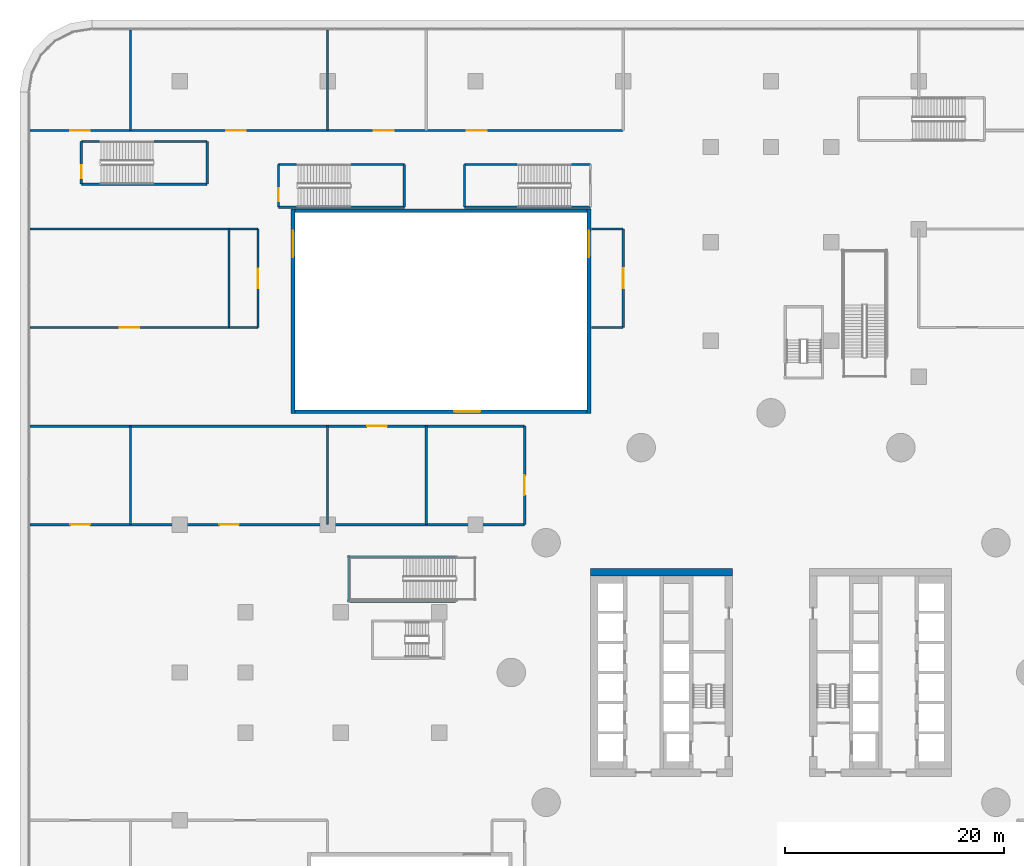
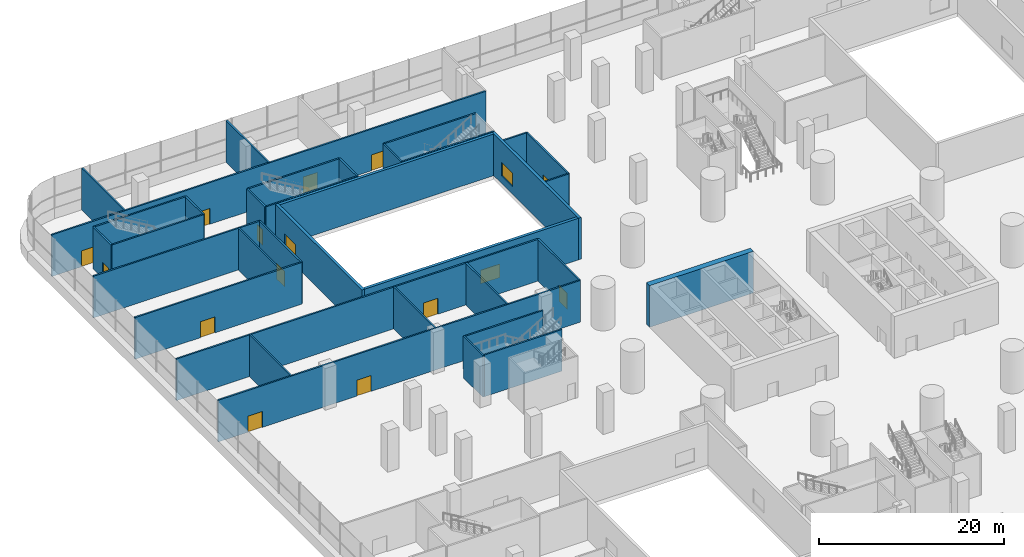
# One storey, part 32 of 52: 35 walls, 13 doors, 3 windows, 16 openings.
"""IFC4 building model written with IfcOpenShell, lengths in metres."""

from ifc_helpers import new_model, si_unit, direction, frame, frame_2d, origin, place, context, subcontext, project, spatial, rectangle, extrude, material, layer, layer_set, type_object, element, fill, save


model = new_model("IFC4")

# Units and contexts
model_context = context("Model", 3, precision=1e-05, world=origin(), true_north=direction((0.0, 1.0)))
body_context = subcontext(model_context, "Body", "Model", "MODEL_VIEW")
ifc_project = project(units=[si_unit("LENGTHUNIT", "METRE"), si_unit("AREAUNIT", "SQUARE_METRE"), si_unit("VOLUMEUNIT", "CUBIC_METRE"), si_unit("PLANEANGLEUNIT", "RADIAN"), si_unit("MASSUNIT", "GRAM", prefix="KILO")], contexts=[model_context])

# Site, building, storey
site_placement = place(None, origin())
site = spatial("IfcSite", under=ifc_project, at=site_placement, CompositionType="ELEMENT")
building_placement = place(site_placement, origin())
building = spatial("IfcBuilding", under=site, at=building_placement, Name="Tamarind Cross Interchange Tower", CompositionType="ELEMENT")
storey_placement = place(building_placement, frame((0.0, 0.0, 9.0)))
storey = spatial("IfcBuildingStorey", under=building, at=storey_placement, Name="L01", CompositionType="ELEMENT", Elevation=9.0)

# Wall
ifc_material_1 = material(Name="Concrete C80", Category="concrete")
ifc_layer_1 = layer(ifc_material_1, 0.699951171875)
ifc_layer_set_1 = layer_set([ifc_layer_1], Name="Concrete C80")
wall_type_1 = type_object("IfcWallType", Name="Core wall 700 mm Concrete C80", PredefinedType="SHEAR", material=ifc_layer_set_1)
wall_1_placement = place(storey_placement, frame((-16.5, 9.14990234375, 0.0), z_axis=(0.0, 0.0, 1.0), x_axis=(1.0, 0.0, 0.0)))
element("IfcWall", 1, at=wall_1_placement, inside=storey, type_object=wall_type_1, Name="Core wall CWL-L01-W-NE", PredefinedType="SHEAR", context=body_context, shape_type="SweptSolid", body=[
    extrude(rectangle(XDim=13.0, YDim=0.699951171875, at=frame_2d((6.5, 0.0))), origin(), (0.0, 0.0, 1.0), 5.5),
])

# Wall, openings, doors
ifc_material_2 = material(Name="Masonry partition, fire-rated", Category="masonry")
ifc_layer_2 = layer(ifc_material_2, 0.199951171875)
ifc_layer_set_2 = layer_set([ifc_layer_2], Name="Masonry partition, fire-rated")
wall_type_2 = type_object("IfcWallType", Name="Fire partition 200 EI 120", PredefinedType="PARTITIONING", material=ifc_layer_set_2)
wall_2_placement = place(storey_placement, frame((-67.698974609375, 13.5, 0.0), z_axis=(0.0, 0.0, 1.0), x_axis=(1.0, 0.0, 0.0)))
wall_2 = element("IfcWall", 2, at=wall_2_placement, inside=storey, type_object=wall_type_2, Name="L01 partition 56", PredefinedType="PARTITIONING", context=body_context, shape_type="SweptSolid", body=[
    extrude(rectangle(XDim=45.198974609375, YDim=0.199951171875, at=frame_2d((22.599609375, 0.0))), origin(), (0.0, 0.0, 1.0), 5.5),
])
opening_1_placement = place(wall_2_placement, frame((17.299072265625, 0.0, 0.0)))
opening_1 = element("IfcOpeningElement", 3, at=opening_1_placement, cuts=wall_2, Name="Opening DL01-25", PredefinedType="OPENING", context=body_context, shape_type="SweptSolid", body=[
    extrude(rectangle(XDim=1.800048828125, YDim=2.10009765625, at=frame_2d((0.89990234375, 1.050048828125))), frame((0.0, 0.10986328125, 0.0), z_axis=(0.0, -1.0, 0.0), x_axis=(1.0, 0.0, 0.0)), (0.0, 0.0, 1.0), 0.219970703125),
])
opening_2_placement = place(wall_2_placement, frame((3.698974609375, 0.0, 0.0)))
opening_2 = element("IfcOpeningElement", 4, at=opening_2_placement, cuts=wall_2, Name="Opening DL01-26", PredefinedType="OPENING", context=body_context, shape_type="SweptSolid", body=[
    extrude(rectangle(XDim=1.800048828125, YDim=2.10009765625, at=frame_2d((0.89990234375, 1.050048828125))), frame((0.0, 0.10986328125, 0.0), z_axis=(0.0, -1.0, 0.0), x_axis=(1.0, 0.0, 0.0)), (0.0, 0.0, 1.0), 0.219970703125),
])
ifc_material_3 = material(Name="Steel, fire-resisting", Category="steel")
door_type_1 = type_object("IfcDoorType", Name="Podium door 1800 x 2100 FD60", OperationType="SINGLE_SWING_LEFT", PredefinedType="DOOR", material=ifc_material_3)
door_1_placement = place(opening_1_placement, origin())
door_1 = element("IfcDoor", 5, at=door_1_placement, inside=storey, type_object=door_type_1, Name="L01 door Bookshop 0110", OperationType="SINGLE_SWING_LEFT", OverallHeight=2.10009765625, OverallWidth=1.800048828125, PredefinedType="DOOR", context=body_context, shape_type="SweptSolid", body=[
    extrude(rectangle(XDim=1.800048828125, YDim=2.10009765625, at=frame_2d((0.89990234375, 1.050048828125))), frame((0.0, 0.02490234375, 0.0), z_axis=(0.0, -1.0, 0.0), x_axis=(1.0, 0.0, 0.0)), (0.0, 0.0, 1.0), 0.050048828125),
])
fill(opening_1, door_1)
door_2_placement = place(opening_2_placement, origin())
door_2 = element("IfcDoor", 6, at=door_2_placement, inside=storey, type_object=door_type_1, Name="L01 door Coffee Bar 0111", OperationType="SINGLE_SWING_RIGHT", OverallHeight=2.10009765625, OverallWidth=1.800048828125, PredefinedType="DOOR", context=body_context, shape_type="SweptSolid", body=[
    extrude(rectangle(XDim=1.800048828125, YDim=2.10009765625, at=frame_2d((0.89990234375, 1.050048828125))), frame((0.0, 0.02490234375, 0.0), z_axis=(0.0, -1.0, 0.0), x_axis=(1.0, 0.0, 0.0)), (0.0, 0.0, 1.0), 0.050048828125),
])
fill(opening_2, door_2)

# Wall, opening, door
wall_3_placement = place(storey_placement, frame((-67.698974609375, 22.5, 0.0), z_axis=(0.0, 0.0, 1.0), x_axis=(1.0, 0.0, 0.0)))
wall_3 = element("IfcWall", 7, at=wall_3_placement, inside=storey, type_object=wall_type_2, Name="L01 partition 57", PredefinedType="PARTITIONING", context=body_context, shape_type="SweptSolid", body=[
    extrude(rectangle(XDim=45.198974609375, YDim=0.199951171875, at=frame_2d((22.599609375, 0.0))), origin(), (0.0, 0.0, 1.0), 5.5),
])
opening_3_placement = place(wall_3_placement, frame((30.80908203125, 0.0, 0.0)))
opening_3 = element("IfcOpeningElement", 8, at=opening_3_placement, cuts=wall_3, Name="Opening DL01-24", PredefinedType="OPENING", context=body_context, shape_type="SweptSolid", body=[
    extrude(rectangle(XDim=1.800048828125, YDim=2.10009765625, at=frame_2d((0.89990234375, 1.050048828125))), frame((0.0, 0.10986328125, 0.0), z_axis=(0.0, -1.0, 0.0), x_axis=(1.0, 0.0, 0.0)), (0.0, 0.0, 1.0), 0.219970703125),
])
door_3_placement = place(opening_3_placement, origin())
door_3 = element("IfcDoor", 9, at=door_3_placement, inside=storey, type_object=door_type_1, Name="L01 door Beauty Salon 0109", OperationType="SINGLE_SWING_RIGHT", OverallHeight=2.10009765625, OverallWidth=1.800048828125, PredefinedType="DOOR", context=body_context, shape_type="SweptSolid", body=[
    extrude(rectangle(XDim=1.800048828125, YDim=2.10009765625, at=frame_2d((0.89990234375, 1.050048828125))), frame((0.0, 0.02490234375, 0.0), z_axis=(0.0, -1.0, 0.0), x_axis=(1.0, 0.0, 0.0)), (0.0, 0.0, 1.0), 0.050048828125),
])
fill(opening_3, door_3)

wall_4_placement = place(storey_placement, frame((-67.698974609375, 31.5, 0.0), z_axis=(0.0, 0.0, 1.0), x_axis=(1.0, 0.0, 0.0)))
wall_4 = element("IfcWall", 10, at=wall_4_placement, inside=storey, type_object=wall_type_2, Name="L01 partition 58", PredefinedType="PARTITIONING", context=body_context, shape_type="SweptSolid", body=[
    extrude(rectangle(XDim=20.848876953125, YDim=0.199951171875, at=frame_2d((10.42431640625, 0.0))), origin(), (0.0, 0.0, 1.0), 5.5),
])
opening_4_placement = place(wall_4_placement, frame((8.198974609375, 0.0, 0.0)))
opening_4 = element("IfcOpeningElement", 11, at=opening_4_placement, cuts=wall_4, Name="Opening DL01-28", PredefinedType="OPENING", context=body_context, shape_type="SweptSolid", body=[
    extrude(rectangle(XDim=1.800048828125, YDim=2.10009765625, at=frame_2d((0.89990234375, 1.050048828125))), frame((0.0, 0.10986328125, 0.0), z_axis=(0.0, -1.0, 0.0), x_axis=(1.0, 0.0, 0.0)), (0.0, 0.0, 1.0), 0.219970703125),
])
door_4_placement = place(opening_4_placement, origin())
door_4 = element("IfcDoor", 12, at=door_4_placement, inside=storey, type_object=door_type_1, Name="L01 door Beauty Salon 0114", OperationType="SINGLE_SWING_RIGHT", OverallHeight=2.10009765625, OverallWidth=1.800048828125, PredefinedType="DOOR", context=body_context, shape_type="SweptSolid", body=[
    extrude(rectangle(XDim=1.800048828125, YDim=2.10009765625, at=frame_2d((0.89990234375, 1.050048828125))), frame((0.0, 0.02490234375, 0.0), z_axis=(0.0, -1.0, 0.0), x_axis=(1.0, 0.0, 0.0)), (0.0, 0.0, 1.0), 0.050048828125),
])
fill(opening_4, door_4)

# Wall
wall_5_placement = place(storey_placement, frame((-67.698974609375, 40.5, 0.0), z_axis=(0.0, 0.0, 1.0), x_axis=(1.0, 0.0, 0.0)))
element("IfcWall", 13, at=wall_5_placement, inside=storey, type_object=wall_type_2, Name="L01 partition 59", PredefinedType="PARTITIONING", context=body_context, shape_type="SweptSolid", body=[
    extrude(rectangle(XDim=20.848876953125, YDim=0.199951171875, at=frame_2d((10.42431640625, 0.0))), origin(), (0.0, 0.0, 1.0), 5.5),
])

# Wall, openings, doors
wall_6_placement = place(storey_placement, frame((-67.698974609375, 49.5, 0.0), z_axis=(0.0, 0.0, 1.0), x_axis=(1.0, 0.0, 0.0)))
wall_6 = element("IfcWall", 14, at=wall_6_placement, inside=storey, type_object=wall_type_2, Name="L01 partition 60", PredefinedType="PARTITIONING", context=body_context, shape_type="SweptSolid", body=[
    extrude(rectangle(XDim=54.198974609375, YDim=0.199951171875, at=frame_2d((27.099609375, 0.0))), origin(), (0.0, 0.0, 1.0), 5.5),
])
opening_5_placement = place(wall_6_placement, frame((39.924072265625, 0.0, 0.0)))
opening_5 = element("IfcOpeningElement", 15, at=opening_5_placement, cuts=wall_6, Name="Opening DL01-29", PredefinedType="OPENING", context=body_context, shape_type="SweptSolid", body=[
    extrude(rectangle(XDim=1.800048828125, YDim=2.10009765625, at=frame_2d((0.89990234375, 1.050048828125))), frame((0.0, 0.10986328125, 0.0), z_axis=(0.0, -1.0, 0.0), x_axis=(1.0, 0.0, 0.0)), (0.0, 0.0, 1.0), 0.219970703125),
])
opening_6_placement = place(wall_6_placement, frame((31.424072265625, 0.0, 0.0)))
opening_6 = element("IfcOpeningElement", 16, at=opening_6_placement, cuts=wall_6, Name="Opening DL01-30", PredefinedType="OPENING", context=body_context, shape_type="SweptSolid", body=[
    extrude(rectangle(XDim=1.800048828125, YDim=2.10009765625, at=frame_2d((0.89990234375, 1.050048828125))), frame((0.0, 0.10986328125, 0.0), z_axis=(0.0, -1.0, 0.0), x_axis=(1.0, 0.0, 0.0)), (0.0, 0.0, 1.0), 0.219970703125),
])
opening_7_placement = place(wall_6_placement, frame((17.924072265625, 0.0, 0.0)))
opening_7 = element("IfcOpeningElement", 17, at=opening_7_placement, cuts=wall_6, Name="Opening DL01-31", PredefinedType="OPENING", context=body_context, shape_type="SweptSolid", body=[
    extrude(rectangle(XDim=1.800048828125, YDim=2.10009765625, at=frame_2d((0.89990234375, 1.050048828125))), frame((0.0, 0.10986328125, 0.0), z_axis=(0.0, -1.0, 0.0), x_axis=(1.0, 0.0, 0.0)), (0.0, 0.0, 1.0), 0.219970703125),
])
opening_8_placement = place(wall_6_placement, frame((3.68896484375, 0.0, 0.0)))
opening_8 = element("IfcOpeningElement", 18, at=opening_8_placement, cuts=wall_6, Name="Opening DL01-32", PredefinedType="OPENING", context=body_context, shape_type="SweptSolid", body=[
    extrude(rectangle(XDim=1.800048828125, YDim=2.10009765625, at=frame_2d((0.89990234375, 1.050048828125))), frame((0.0, 0.10986328125, 0.0), z_axis=(0.0, -1.0, 0.0), x_axis=(1.0, 0.0, 0.0)), (0.0, 0.0, 1.0), 0.219970703125),
])
door_5_placement = place(opening_5_placement, origin())
door_5 = element("IfcDoor", 19, at=door_5_placement, inside=storey, type_object=door_type_1, Name="L01 door Gift Shop 0115", OperationType="SINGLE_SWING_LEFT", OverallHeight=2.10009765625, OverallWidth=1.800048828125, PredefinedType="DOOR", context=body_context, shape_type="SweptSolid", body=[
    extrude(rectangle(XDim=1.800048828125, YDim=2.10009765625, at=frame_2d((0.89990234375, 1.050048828125))), frame((0.0, 0.02490234375, 0.0), z_axis=(0.0, -1.0, 0.0), x_axis=(1.0, 0.0, 0.0)), (0.0, 0.0, 1.0), 0.050048828125),
])
fill(opening_5, door_5)
door_6_placement = place(opening_6_placement, origin())
door_6 = element("IfcDoor", 20, at=door_6_placement, inside=storey, type_object=door_type_1, Name="L01 door Bookshop 0116", OperationType="SINGLE_SWING_RIGHT", OverallHeight=2.10009765625, OverallWidth=1.800048828125, PredefinedType="DOOR", context=body_context, shape_type="SweptSolid", body=[
    extrude(rectangle(XDim=1.800048828125, YDim=2.10009765625, at=frame_2d((0.89990234375, 1.050048828125))), frame((0.0, 0.02490234375, 0.0), z_axis=(0.0, -1.0, 0.0), x_axis=(1.0, 0.0, 0.0)), (0.0, 0.0, 1.0), 0.050048828125),
])
fill(opening_6, door_6)
door_7_placement = place(opening_7_placement, origin())
door_7 = element("IfcDoor", 21, at=door_7_placement, inside=storey, type_object=door_type_1, Name="L01 door Jewellery Shop 0117", OperationType="SINGLE_SWING_LEFT", OverallHeight=2.10009765625, OverallWidth=1.800048828125, PredefinedType="DOOR", context=body_context, shape_type="SweptSolid", body=[
    extrude(rectangle(XDim=1.800048828125, YDim=2.10009765625, at=frame_2d((0.89990234375, 1.050048828125))), frame((0.0, 0.02490234375, 0.0), z_axis=(0.0, -1.0, 0.0), x_axis=(1.0, 0.0, 0.0)), (0.0, 0.0, 1.0), 0.050048828125),
])
fill(opening_7, door_7)
door_8_placement = place(opening_8_placement, origin())
door_8 = element("IfcDoor", 22, at=door_8_placement, inside=storey, type_object=door_type_1, Name="L01 door Electronics Store 0118", OperationType="SINGLE_SWING_RIGHT", OverallHeight=2.10009765625, OverallWidth=1.800048828125, PredefinedType="DOOR", context=body_context, shape_type="SweptSolid", body=[
    extrude(rectangle(XDim=1.800048828125, YDim=2.10009765625, at=frame_2d((0.89990234375, 1.050048828125))), frame((0.0, 0.02490234375, 0.0), z_axis=(0.0, -1.0, 0.0), x_axis=(1.0, 0.0, 0.0)), (0.0, 0.0, 1.0), 0.050048828125),
])
fill(opening_8, door_8)

# Walls
wall_7_placement = place(storey_placement, frame((-58.5, 13.5, 0.0), z_axis=(0.0, 0.0, 1.0), x_axis=(0.0, 1.0, 0.0)))
element("IfcWall", 23, at=wall_7_placement, inside=storey, type_object=wall_type_2, Name="L01 partition 64", PredefinedType="PARTITIONING", context=body_context, shape_type="SweptSolid", body=[
    extrude(rectangle(XDim=9.0, YDim=0.199951171875, at=frame_2d((4.5, 0.0))), origin(), (0.0, 0.0, 1.0), 5.5),
])
wall_8_placement = place(storey_placement, frame((-58.5, 49.5, 0.0), z_axis=(0.0, 0.0, 1.0), x_axis=(0.0, 1.0, 0.0)))
element("IfcWall", 24, at=wall_8_placement, inside=storey, type_object=wall_type_2, Name="L01 partition 65", PredefinedType="PARTITIONING", context=body_context, shape_type="SweptSolid", body=[
    extrude(rectangle(XDim=9.198974609375, YDim=0.199951171875, at=frame_2d((4.599609375, 0.0))), origin(), (0.0, 0.0, 1.0), 5.5),
])

# Wall, opening, door
wall_9_placement = place(storey_placement, frame((-46.85009765625, 31.5, 0.0), z_axis=(0.0, 0.0, 1.0), x_axis=(0.0, 1.0, 0.0)))
wall_9 = element("IfcWall", 25, at=wall_9_placement, inside=storey, type_object=wall_type_2, Name="L01 partition 66", PredefinedType="PARTITIONING", context=body_context, shape_type="SweptSolid", body=[
    extrude(rectangle(XDim=9.0, YDim=0.199951171875, at=frame_2d((4.5, 0.0))), origin(), (0.0, 0.0, 1.0), 5.5),
])
opening_9_placement = place(wall_9_placement, frame((3.60009765625, 0.0, 0.0)))
opening_9 = element("IfcOpeningElement", 26, at=opening_9_placement, cuts=wall_9, Name="Opening DL01-33", PredefinedType="OPENING", context=body_context, shape_type="SweptSolid", body=[
    extrude(rectangle(XDim=1.800048828125, YDim=2.10009765625, at=frame_2d((0.89990234375, 1.050048828125))), frame((0.0, 0.10986328125, 0.0), z_axis=(0.0, -1.0, 0.0), x_axis=(1.0, 0.0, 0.0)), (0.0, 0.0, 1.0), 0.219970703125),
])
door_9_placement = place(opening_9_placement, origin())
door_9 = element("IfcDoor", 27, at=door_9_placement, inside=storey, type_object=door_type_1, Name="L01 door Sports Shop 0113", OperationType="SINGLE_SWING_LEFT", OverallHeight=2.10009765625, OverallWidth=1.800048828125, PredefinedType="DOOR", context=body_context, shape_type="SweptSolid", body=[
    extrude(rectangle(XDim=1.800048828125, YDim=2.10009765625, at=frame_2d((0.89990234375, 1.050048828125))), frame((0.0, 0.02490234375, 0.0), z_axis=(0.0, -1.0, 0.0), x_axis=(1.0, 0.0, 0.0)), (0.0, 0.0, 1.0), 0.050048828125),
])
fill(opening_9, door_9)

# Walls
for number, where, z_axis, x_axis, name in (
    (28, (-49.5, 31.5, 0.0), (0.0, 0.0, 1.0), (0.0, 1.0, 0.0), "L01 partition 67"),
    (29, (-40.5, 13.5, 0.0), (0.0, 0.0, 1.0), (0.0, 1.0, 0.0), "L01 partition 70"),
):
    element("IfcWall", number, at=place(storey_placement, frame(where, z_axis=z_axis, x_axis=x_axis)), inside=storey, type_object=wall_type_2, Name=name, PredefinedType="PARTITIONING", context=body_context, shape_type="SweptSolid", body=[
        extrude(rectangle(XDim=9.0, YDim=0.199951171875, at=frame_2d((4.5, 0.0))), origin(), (0.0, 0.0, 1.0), 5.5),
    ])
wall_10_placement = place(storey_placement, frame((-40.5, 49.5, 0.0), z_axis=(0.0, 0.0, 1.0), x_axis=(0.0, 1.0, 0.0)))
element("IfcWall", 30, at=wall_10_placement, inside=storey, type_object=wall_type_2, Name="L01 partition 71", PredefinedType="PARTITIONING", context=body_context, shape_type="SweptSolid", body=[
    extrude(rectangle(XDim=9.198974609375, YDim=0.199951171875, at=frame_2d((4.599609375, 0.0))), origin(), (0.0, 0.0, 1.0), 5.5),
])

# Wall, opening, door
wall_11_placement = place(storey_placement, frame((-22.5, 13.5, 0.0), z_axis=(0.0, 0.0, 1.0), x_axis=(0.0, 1.0, 0.0)))
wall_11 = element("IfcWall", 31, at=wall_11_placement, inside=storey, type_object=wall_type_2, Name="L01 partition 74", PredefinedType="PARTITIONING", context=body_context, shape_type="SweptSolid", body=[
    extrude(rectangle(XDim=9.0, YDim=0.199951171875, at=frame_2d((4.5, 0.0))), origin(), (0.0, 0.0, 1.0), 5.5),
])
opening_10_placement = place(wall_11_placement, frame((2.7080078125, 0.0, 0.0)))
opening_10 = element("IfcOpeningElement", 32, at=opening_10_placement, cuts=wall_11, Name="Opening DL01-23", PredefinedType="OPENING", context=body_context, shape_type="SweptSolid", body=[
    extrude(rectangle(XDim=1.800048828125, YDim=2.10009765625, at=frame_2d((0.89990234375, 1.050048828125))), frame((0.0, 0.10986328125, 0.0), z_axis=(0.0, -1.0, 0.0), x_axis=(1.0, 0.0, 0.0)), (0.0, 0.0, 1.0), 0.219970703125),
])
door_10_placement = place(opening_10_placement, origin())
door_10 = element("IfcDoor", 33, at=door_10_placement, inside=storey, type_object=door_type_1, Name="L01 door Electronics Store 0108", OperationType="SINGLE_SWING_LEFT", OverallHeight=2.10009765625, OverallWidth=1.800048828125, PredefinedType="DOOR", context=body_context, shape_type="SweptSolid", body=[
    extrude(rectangle(XDim=1.800048828125, YDim=2.10009765625, at=frame_2d((0.89990234375, 1.050048828125))), frame((0.0, 0.02490234375, 0.0), z_axis=(0.0, -1.0, 0.0), x_axis=(1.0, 0.0, 0.0)), (0.0, 0.0, 1.0), 0.050048828125),
])
fill(opening_10, door_10)

# Walls
wall_12_placement = place(storey_placement, frame((-31.5, 13.5, 0.0), z_axis=(0.0, 0.0, 1.0), x_axis=(0.0, 1.0, 0.0)))
element("IfcWall", 34, at=wall_12_placement, inside=storey, type_object=wall_type_2, Name="L01 partition 75", PredefinedType="PARTITIONING", context=body_context, shape_type="SweptSolid", body=[
    extrude(rectangle(XDim=9.0, YDim=0.199951171875, at=frame_2d((4.5, 0.0))), origin(), (0.0, 0.0, 1.0), 5.5),
])
wall_13_placement = place(storey_placement, frame((-16.419921875, 40.5, 0.0), z_axis=(0.0, 0.0, 1.0), x_axis=(1.0, 0.0, 0.0)))
element("IfcWall", 35, at=wall_13_placement, inside=storey, type_object=wall_type_2, Name="L01 partition 85", PredefinedType="PARTITIONING", context=body_context, shape_type="SweptSolid", body=[
    extrude(rectangle(XDim=2.919921875, YDim=0.199951171875, at=frame_2d((1.4599609375, 0.0))), origin(), (0.0, 0.0, 1.0), 5.5),
])

# Wall, opening, door
wall_14_placement = place(storey_placement, frame((-13.5, 31.5, 0.0), z_axis=(0.0, 0.0, 1.0), x_axis=(0.0, 1.0, 0.0)))
wall_14 = element("IfcWall", 36, at=wall_14_placement, inside=storey, type_object=wall_type_2, Name="L01 partition 86", PredefinedType="PARTITIONING", context=body_context, shape_type="SweptSolid", body=[
    extrude(rectangle(XDim=9.0, YDim=0.199951171875, at=frame_2d((4.5, 0.0))), origin(), (0.0, 0.0, 1.0), 5.5),
])
opening_11_placement = place(wall_14_placement, frame((3.610107421875, 0.0, 0.0)))
opening_11 = element("IfcOpeningElement", 37, at=opening_11_placement, cuts=wall_14, Name="Opening DL01-27", PredefinedType="OPENING", context=body_context, shape_type="SweptSolid", body=[
    extrude(rectangle(XDim=1.800048828125, YDim=2.10009765625, at=frame_2d((0.89990234375, 1.050048828125))), frame((0.0, 0.10986328125, 0.0), z_axis=(0.0, -1.0, 0.0), x_axis=(1.0, 0.0, 0.0)), (0.0, 0.0, 1.0), 0.219970703125),
])
door_11_placement = place(opening_11_placement, origin())
door_11 = element("IfcDoor", 38, at=door_11_placement, inside=storey, type_object=door_type_1, Name="L01 door Optician 0112", OperationType="SINGLE_SWING_LEFT", OverallHeight=2.10009765625, OverallWidth=1.800048828125, PredefinedType="DOOR", context=body_context, shape_type="SweptSolid", body=[
    extrude(rectangle(XDim=1.800048828125, YDim=2.10009765625, at=frame_2d((0.89990234375, 1.050048828125))), frame((0.0, 0.02490234375, 0.0), z_axis=(0.0, -1.0, 0.0), x_axis=(1.0, 0.0, 0.0)), (0.0, 0.0, 1.0), 0.050048828125),
])
fill(opening_11, door_11)

# Wall
wall_15_placement = place(storey_placement, frame((-16.419921875, 31.5, 0.0), z_axis=(0.0, 0.0, 1.0), x_axis=(1.0, 0.0, 0.0)))
element("IfcWall", 39, at=wall_15_placement, inside=storey, type_object=wall_type_2, Name="L01 partition 87", PredefinedType="PARTITIONING", context=body_context, shape_type="SweptSolid", body=[
    extrude(rectangle(XDim=2.919921875, YDim=0.199951171875, at=frame_2d((1.4599609375, 0.0))), origin(), (0.0, 0.0, 1.0), 5.5),
])

# Wall, opening, window
ifc_material_4 = material(Name="Precast concrete C40", Category="concrete")
ifc_layer_3 = layer(ifc_material_4, 0.35009765625)
ifc_layer_set_3 = layer_set([ifc_layer_3], Name="Precast concrete C40")
wall_type_3 = type_object("IfcWallType", Name="Podium facade wall", PredefinedType="SOLIDWALL", material=ifc_layer_set_3)
wall_16_placement = place(storey_placement, frame((-43.5, 23.824951171875, 0.0), z_axis=(0.0, 0.0, 1.0), x_axis=(1.0, 0.0, 0.0)))
wall_16 = element("IfcWall", 40, at=wall_16_placement, inside=storey, type_object=wall_type_3, Name="CTW-L01-NWS00", PredefinedType="SOLIDWALL", context=body_context, shape_type="SweptSolid", body=[
    extrude(rectangle(XDim=26.699951171875, YDim=0.35009765625, at=frame_2d((13.35009765625, 0.0))), origin(), (0.0, 0.0, 1.0), 5.5),
])
opening_12_placement = place(wall_16_placement, frame((14.550048828125, 0.0, 1.0)))
opening_12 = element("IfcOpeningElement", 41, at=opening_12_placement, cuts=wall_16, Name="Opening W4", PredefinedType="OPENING", context=body_context, shape_type="SweptSolid", body=[
    extrude(rectangle(XDim=2.39990234375, YDim=1.800048828125, at=frame_2d((1.199951171875, 0.89990234375))), frame((0.0, 0.18505859375, 0.0), z_axis=(0.0, -1.0, 0.0), x_axis=(1.0, 0.0, 0.0)), (0.0, 0.0, 1.0), 0.3701171875),
])
ifc_material_5 = material(Name="Aluminium and toughened glass", Category="aluminium")
window_type = type_object("IfcWindowType", Name="Podium daylight window", PartitioningType="SINGLE_PANEL", PredefinedType="WINDOW", material=ifc_material_5)
window_1_placement = place(opening_12_placement, origin())
window_1 = element("IfcWindow", 42, at=window_1_placement, inside=storey, type_object=window_type, Name="CTX-L01-NWS-01-00", OverallHeight=1.800048828125, OverallWidth=2.39990234375, PartitioningType="SINGLE_PANEL", PredefinedType="WINDOW", context=body_context, shape_type="SweptSolid", body=[
    extrude(rectangle(XDim=2.39990234375, YDim=1.800048828125, at=frame_2d((1.199951171875, 0.89990234375))), frame((0.0, 0.030029296875, 0.0), z_axis=(0.0, -1.0, 0.0), x_axis=(1.0, 0.0, 0.0)), (0.0, 0.0, 1.0), 0.06005859375),
])
fill(opening_12, window_1)

# Wall
wall_17_placement = place(storey_placement, frame((-43.5, 42.175048828125, 0.0), z_axis=(0.0, 0.0, 1.0), x_axis=(1.0, 0.0, 0.0)))
element("IfcWall", 43, at=wall_17_placement, inside=storey, type_object=wall_type_3, Name="CTW-L01-NWN00", PredefinedType="SOLIDWALL", context=body_context, shape_type="SweptSolid", body=[
    extrude(rectangle(XDim=26.699951171875, YDim=0.35009765625, at=frame_2d((13.35009765625, 0.0))), origin(), (0.0, 0.0, 1.0), 5.5),
])

# Wall, opening, window
wall_18_placement = place(storey_placement, frame((-43.675048828125, 23.64990234375, 0.0), z_axis=(0.0, 0.0, 1.0), x_axis=(0.0, 1.0, 0.0)))
wall_18 = element("IfcWall", 44, at=wall_18_placement, inside=storey, type_object=wall_type_3, Name="CTW-L01-NWW00", PredefinedType="SOLIDWALL", context=body_context, shape_type="SweptSolid", body=[
    extrude(rectangle(XDim=18.7001953125, YDim=0.35009765625, at=frame_2d((9.35009765625, 0.0))), origin(), (0.0, 0.0, 1.0), 5.5),
])
opening_13_placement = place(wall_18_placement, frame((14.300048828125, 0.0, 1.0)))
opening_13 = element("IfcOpeningElement", 45, at=opening_13_placement, cuts=wall_18, Name="Opening W4", PredefinedType="OPENING", context=body_context, shape_type="SweptSolid", body=[
    extrude(rectangle(XDim=2.39990234375, YDim=1.800048828125, at=frame_2d((1.199951171875, 0.89990234375))), frame((0.0, 0.18505859375, 0.0), z_axis=(0.0, -1.0, 0.0), x_axis=(1.0, 0.0, 0.0)), (0.0, 0.0, 1.0), 0.3701171875),
])
window_2_placement = place(opening_13_placement, origin())
window_2 = element("IfcWindow", 46, at=window_2_placement, inside=storey, type_object=window_type, Name="CTX-L01-NWW-01-00", OverallHeight=1.800048828125, OverallWidth=2.39990234375, PartitioningType="SINGLE_PANEL", PredefinedType="WINDOW", context=body_context, shape_type="SweptSolid", body=[
    extrude(rectangle(XDim=2.39990234375, YDim=1.800048828125, at=frame_2d((1.199951171875, 0.89990234375))), frame((0.0, 0.030029296875, 0.0), z_axis=(0.0, -1.0, 0.0), x_axis=(1.0, 0.0, 0.0)), (0.0, 0.0, 1.0), 0.06005859375),
])
fill(opening_13, window_2)

wall_19_placement = place(storey_placement, frame((-16.625, 23.64990234375, 0.0), z_axis=(0.0, 0.0, 1.0), x_axis=(0.0, 1.0, 0.0)))
wall_19 = element("IfcWall", 47, at=wall_19_placement, inside=storey, type_object=wall_type_3, Name="CTW-L01-NWE00", PredefinedType="SOLIDWALL", context=body_context, shape_type="SweptSolid", body=[
    extrude(rectangle(XDim=18.7001953125, YDim=0.35009765625, at=frame_2d((9.35009765625, 0.0))), origin(), (0.0, 0.0, 1.0), 5.5),
])
opening_14_placement = place(wall_19_placement, frame((14.300048828125, 0.0, 1.0)))
opening_14 = element("IfcOpeningElement", 48, at=opening_14_placement, cuts=wall_19, Name="Opening W4", PredefinedType="OPENING", context=body_context, shape_type="SweptSolid", body=[
    extrude(rectangle(XDim=2.39990234375, YDim=1.800048828125, at=frame_2d((1.199951171875, 0.89990234375))), frame((0.0, 0.18505859375, 0.0), z_axis=(0.0, -1.0, 0.0), x_axis=(1.0, 0.0, 0.0)), (0.0, 0.0, 1.0), 0.3701171875),
])
window_3_placement = place(opening_14_placement, origin())
window_3 = element("IfcWindow", 49, at=window_3_placement, inside=storey, type_object=window_type, Name="CTX-L01-NWE-01-00", OverallHeight=1.800048828125, OverallWidth=2.39990234375, PartitioningType="SINGLE_PANEL", PredefinedType="WINDOW", context=body_context, shape_type="SweptSolid", body=[
    extrude(rectangle(XDim=2.39990234375, YDim=1.800048828125, at=frame_2d((1.199951171875, 0.89990234375))), frame((0.0, 0.030029296875, 0.0), z_axis=(0.0, -1.0, 0.0), x_axis=(1.0, 0.0, 0.0)), (0.0, 0.0, 1.0), 0.06005859375),
])
fill(opening_14, window_3)

# Walls
ifc_material_6 = material(Name="Concrete C40", Category="concrete")
ifc_layer_4 = layer(ifc_material_6, 0.199951171875)
ifc_layer_set_4 = layer_set([ifc_layer_4], Name="Concrete C40")
wall_type_4 = type_object("IfcWallType", Name="Stair shaft wall 200", PredefinedType="SOLIDWALL", material=ifc_layer_set_4)
for number, where, z_axis, x_axis, name in (
    (50, (-28.800048828125, 10.60009765625, 0.0), (0.0, 0.0, 1.0), (-1.0, 0.0, 0.0), "public stair PS-W shaft wall L"),
    (51, (-28.800048828125, 6.5, 0.0), (0.0, 0.0, 1.0), (-1.0, 0.0, 0.0), "public stair PS-W shaft wall R"),
):
    element("IfcWall", number, at=place(storey_placement, frame(where, z_axis=z_axis, x_axis=x_axis)), inside=storey, type_object=wall_type_4, Name=name, PredefinedType="SOLIDWALL", context=body_context, shape_type="SweptSolid", body=[
        extrude(rectangle(XDim=9.699951171875, YDim=0.199951171875, at=frame_2d((4.85009765625, 0.0))), origin(), (0.0, 0.0, 1.0), 5.5),
    ])
wall_20_placement = place(storey_placement, frame((-38.60009765625, 10.699951171875, 0.0), z_axis=(0.0, 0.0, 1.0), x_axis=(0.0, -1.0, 0.0)))
element("IfcWall", 52, at=wall_20_placement, inside=storey, type_object=wall_type_4, Name="public stair PS-W shaft wall F", PredefinedType="SOLIDWALL", context=body_context, shape_type="SweptSolid", body=[
    extrude(rectangle(XDim=4.300048828125, YDim=0.199951171875, at=frame_2d((2.14990234375, 0.0))), origin(), (0.0, 0.0, 1.0), 5.5),
])
ifc_layer_5 = layer(ifc_material_6, 0.199951171875)
ifc_layer_set_5 = layer_set([ifc_layer_5], Name="Concrete C40")
wall_type_5 = type_object("IfcWallType", Name="Stair shaft wall 200 EI 180", PredefinedType="PARTITIONING", material=ifc_layer_set_5)
wall_21_placement = place(storey_placement, frame((-63.0, 48.5, 0.0), z_axis=(0.0, 0.0, 1.0), x_axis=(1.0, 0.0, 0.0)))
element("IfcWall", 53, at=wall_21_placement, inside=storey, type_object=wall_type_5, Name="L01 stair shaft wall 1", PredefinedType="PARTITIONING", context=body_context, shape_type="SweptSolid", body=[
    extrude(rectangle(XDim=11.5, YDim=0.199951171875, at=frame_2d((5.75, 0.0))), origin(), (0.0, 0.0, 1.0), 5.5),
])
wall_22_placement = place(storey_placement, frame((-51.5, 44.60009765625, 0.0), z_axis=(0.0, 0.0, 1.0), x_axis=(0.0, 1.0, 0.0)))
element("IfcWall", 54, at=wall_22_placement, inside=storey, type_object=wall_type_5, Name="L01 stair shaft wall 2", PredefinedType="PARTITIONING", context=body_context, shape_type="SweptSolid", body=[
    extrude(rectangle(XDim=3.89990234375, YDim=0.199951171875, at=frame_2d((1.949951171875, 0.0))), origin(), (0.0, 0.0, 1.0), 5.5),
])
wall_23_placement = place(storey_placement, frame((-63.0, 44.60009765625, 0.0), z_axis=(0.0, 0.0, 1.0), x_axis=(1.0, 0.0, 0.0)))
element("IfcWall", 55, at=wall_23_placement, inside=storey, type_object=wall_type_5, Name="L01 stair shaft wall 3", PredefinedType="PARTITIONING", context=body_context, shape_type="SweptSolid", body=[
    extrude(rectangle(XDim=11.5, YDim=0.199951171875, at=frame_2d((5.75, 0.0))), origin(), (0.0, 0.0, 1.0), 5.5),
])

# Wall, opening, door
wall_24_placement = place(storey_placement, frame((-63.0, 44.60009765625, 0.0), z_axis=(0.0, 0.0, 1.0), x_axis=(0.0, 1.0, 0.0)))
wall_24 = element("IfcWall", 56, at=wall_24_placement, inside=storey, type_object=wall_type_5, Name="L01 stair shaft wall 4", PredefinedType="PARTITIONING", context=body_context, shape_type="SweptSolid", body=[
    extrude(rectangle(XDim=3.89990234375, YDim=0.199951171875, at=frame_2d((1.949951171875, 0.0))), origin(), (0.0, 0.0, 1.0), 5.5),
])
opening_15_placement = place(wall_24_placement, frame((0.550048828125, 0.0, 0.0)))
opening_15 = element("IfcOpeningElement", 57, at=opening_15_placement, cuts=wall_24, Name="Opening DL01-05", PredefinedType="OPENING", context=body_context, shape_type="SweptSolid", body=[
    extrude(rectangle(XDim=1.199951171875, YDim=2.10009765625, at=frame_2d((0.60009765625, 1.050048828125))), frame((0.0, 0.10986328125, 0.0), z_axis=(0.0, -1.0, 0.0), x_axis=(1.0, 0.0, 0.0)), (0.0, 0.0, 1.0), 0.219970703125),
])
door_type_2 = type_object("IfcDoorType", Name="Podium door 1200 x 2100 FD90", OperationType="SINGLE_SWING_LEFT", PredefinedType="DOOR", material=ifc_material_3)
door_12_placement = place(opening_15_placement, origin())
door_12 = element("IfcDoor", 58, at=door_12_placement, inside=storey, type_object=door_type_2, Name="L01 door Exit Stair PX5", OperationType="SINGLE_SWING_LEFT", OverallHeight=2.10009765625, OverallWidth=1.199951171875, PredefinedType="DOOR", context=body_context, shape_type="SweptSolid", body=[
    extrude(rectangle(XDim=1.199951171875, YDim=2.10009765625, at=frame_2d((0.60009765625, 1.050048828125))), frame((0.0, 0.02490234375, 0.0), z_axis=(0.0, -1.0, 0.0), x_axis=(1.0, 0.0, 0.0)), (0.0, 0.0, 1.0), 0.050048828125),
])
fill(opening_15, door_12)

# Walls
wall_25_placement = place(storey_placement, frame((-45.0, 46.39990234375, 0.0), z_axis=(0.0, 0.0, 1.0), x_axis=(1.0, 0.0, 0.0)))
element("IfcWall", 59, at=wall_25_placement, inside=storey, type_object=wall_type_5, Name="L01 stair shaft wall 13", PredefinedType="PARTITIONING", context=body_context, shape_type="SweptSolid", body=[
    extrude(rectangle(XDim=11.5, YDim=0.199951171875, at=frame_2d((5.75, 0.0))), origin(), (0.0, 0.0, 1.0), 5.5),
])
wall_26_placement = place(storey_placement, frame((-33.5, 42.5, 0.0), z_axis=(0.0, 0.0, 1.0), x_axis=(0.0, 1.0, 0.0)))
element("IfcWall", 60, at=wall_26_placement, inside=storey, type_object=wall_type_5, Name="L01 stair shaft wall 14", PredefinedType="PARTITIONING", context=body_context, shape_type="SweptSolid", body=[
    extrude(rectangle(XDim=3.89990234375, YDim=0.199951171875, at=frame_2d((1.949951171875, 0.0))), origin(), (0.0, 0.0, 1.0), 5.5),
])
wall_27_placement = place(storey_placement, frame((-45.0, 42.5, 0.0), z_axis=(0.0, 0.0, 1.0), x_axis=(1.0, 0.0, 0.0)))
element("IfcWall", 61, at=wall_27_placement, inside=storey, type_object=wall_type_5, Name="L01 stair shaft wall 15", PredefinedType="PARTITIONING", context=body_context, shape_type="SweptSolid", body=[
    extrude(rectangle(XDim=11.5, YDim=0.199951171875, at=frame_2d((5.75, 0.0))), origin(), (0.0, 0.0, 1.0), 5.5),
])

# Wall, opening, door
wall_28_placement = place(storey_placement, frame((-45.0, 42.5, 0.0), z_axis=(0.0, 0.0, 1.0), x_axis=(0.0, 1.0, 0.0)))
wall_28 = element("IfcWall", 62, at=wall_28_placement, inside=storey, type_object=wall_type_5, Name="L01 stair shaft wall 16", PredefinedType="PARTITIONING", context=body_context, shape_type="SweptSolid", body=[
    extrude(rectangle(XDim=3.89990234375, YDim=0.199951171875, at=frame_2d((1.949951171875, 0.0))), origin(), (0.0, 0.0, 1.0), 5.5),
])
opening_16_placement = place(wall_28_placement, frame((0.550048828125, 0.0, 0.0)))
opening_16 = element("IfcOpeningElement", 63, at=opening_16_placement, cuts=wall_28, Name="Opening DL01-04", PredefinedType="OPENING", context=body_context, shape_type="SweptSolid", body=[
    extrude(rectangle(XDim=1.199951171875, YDim=2.10009765625, at=frame_2d((0.60009765625, 1.050048828125))), frame((0.0, 0.10986328125, 0.0), z_axis=(0.0, -1.0, 0.0), x_axis=(1.0, 0.0, 0.0)), (0.0, 0.0, 1.0), 0.219970703125),
])
door_13_placement = place(opening_16_placement, origin())
door_13 = element("IfcDoor", 64, at=door_13_placement, inside=storey, type_object=door_type_2, Name="L01 door Exit Stair PX4", OperationType="SINGLE_SWING_RIGHT", OverallHeight=2.10009765625, OverallWidth=1.199951171875, PredefinedType="DOOR", context=body_context, shape_type="SweptSolid", body=[
    extrude(rectangle(XDim=1.199951171875, YDim=2.10009765625, at=frame_2d((0.60009765625, 1.050048828125))), frame((0.0, 0.02490234375, 0.0), z_axis=(0.0, -1.0, 0.0), x_axis=(1.0, 0.0, 0.0)), (0.0, 0.0, 1.0), 0.050048828125),
])
fill(opening_16, door_13)

# Walls
wall_29_placement = place(storey_placement, frame((-28.0, 42.5, 0.0), z_axis=(0.0, 0.0, 1.0), x_axis=(1.0, 0.0, 0.0)))
element("IfcWall", 65, at=wall_29_placement, inside=storey, type_object=wall_type_5, Name="L01 stair shaft wall 21", PredefinedType="PARTITIONING", context=body_context, shape_type="SweptSolid", body=[
    extrude(rectangle(XDim=11.5, YDim=0.199951171875, at=frame_2d((5.75, 0.0))), origin(), (0.0, 0.0, 1.0), 5.5),
])
wall_30_placement = place(storey_placement, frame((-28.0, 42.5, 0.0), z_axis=(0.0, 0.0, 1.0), x_axis=(0.0, 1.0, 0.0)))
element("IfcWall", 66, at=wall_30_placement, inside=storey, type_object=wall_type_5, Name="L01 stair shaft wall 22", PredefinedType="PARTITIONING", context=body_context, shape_type="SweptSolid", body=[
    extrude(rectangle(XDim=3.89990234375, YDim=0.199951171875, at=frame_2d((1.949951171875, 0.0))), origin(), (0.0, 0.0, 1.0), 5.5),
])
wall_31_placement = place(storey_placement, frame((-28.0, 46.39990234375, 0.0), z_axis=(0.0, 0.0, 1.0), x_axis=(1.0, 0.0, 0.0)))
element("IfcWall", 67, at=wall_31_placement, inside=storey, type_object=wall_type_5, Name="L01 stair shaft wall 23", PredefinedType="PARTITIONING", context=body_context, shape_type="SweptSolid", body=[
    extrude(rectangle(XDim=11.5, YDim=0.199951171875, at=frame_2d((5.75, 0.0))), origin(), (0.0, 0.0, 1.0), 5.5),
])

save(model, "model.ifc")
